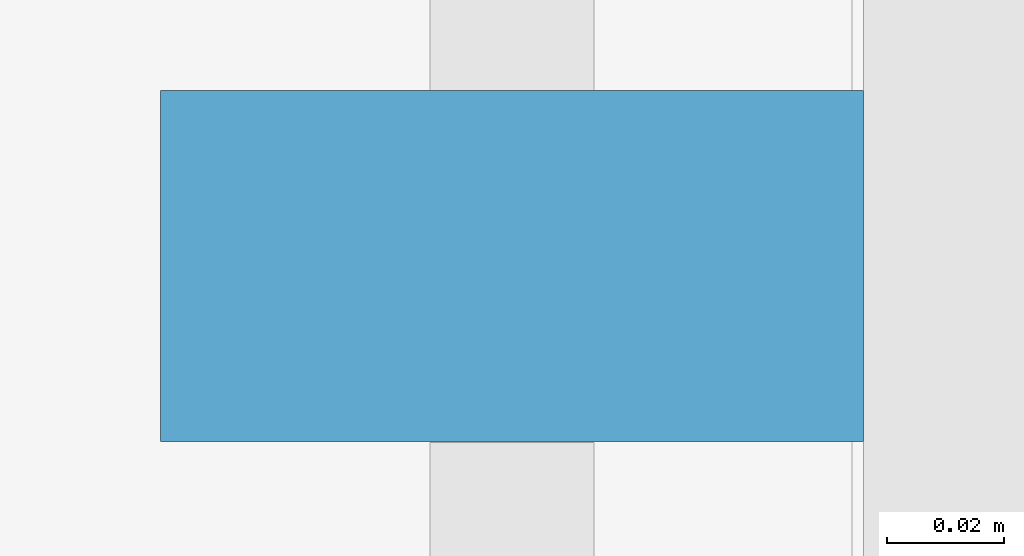
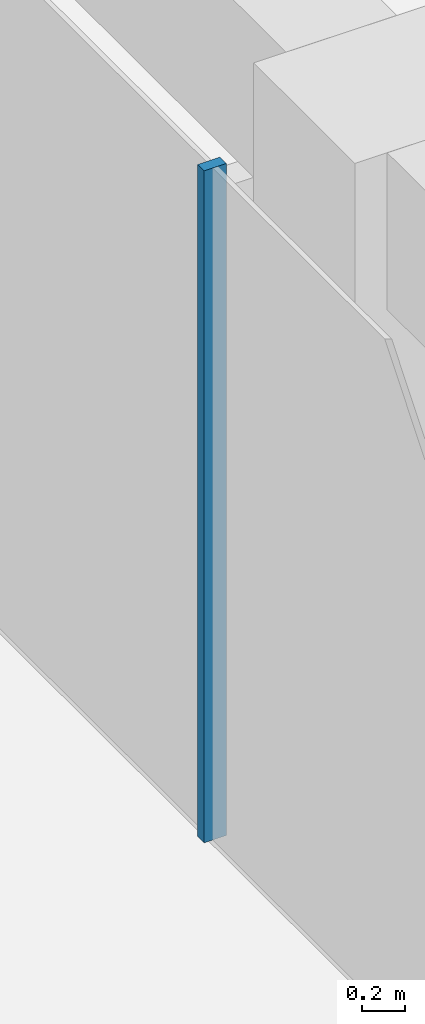
# One storey, part 15 of 28: 1 member, 1 element without a shape of its own.
"""IFC4 building model written with IfcOpenShell, lengths in metres."""

from ifc_helpers import new_model, si_unit, direction, frame, origin, origin_2d, place, context, subcontext, project, spatial, rectangle, extrude, material, layer, layer_set, material_profile, profile_set, type_object, element, aggregate, save


model = new_model("IFC4")

# Units and contexts
model_context = context("Model", 3, precision=1e-05, world=origin(), true_north=direction((0.0, 1.0)))
body_context = subcontext(model_context, "Body", "Model", "MODEL_VIEW")
ifc_project = project(units=[si_unit("LENGTHUNIT", "METRE"), si_unit("AREAUNIT", "SQUARE_METRE"), si_unit("VOLUMEUNIT", "CUBIC_METRE"), si_unit("PLANEANGLEUNIT", "RADIAN"), si_unit("MASSUNIT", "GRAM", prefix="KILO")], contexts=[model_context])

# Site, building, storey
site_placement = place(None, origin())
site = spatial("IfcSite", under=ifc_project, at=site_placement, CompositionType="ELEMENT")
building_placement = place(site_placement, origin())
building = spatial("IfcBuilding", under=site, at=building_placement, Name="Welwitschia Terrace Campus", CompositionType="ELEMENT")
storey_placement = place(building_placement, frame((0.0, 0.0, 45.800048828125)))
storey = spatial("IfcBuildingStorey", under=building, at=storey_placement, Name="L10", CompositionType="ELEMENT", Elevation=45.800048828125)

# Curtain wall, member
ifc_material_1 = material(Name="Bronze anodised aluminium", Category="aluminium")
ifc_layer = layer(ifc_material_1, 0.1201171875)
ifc_layer_set = layer_set([ifc_layer], Name="Bronze anodised aluminium")
curtain_wall_type = type_object("IfcCurtainWallType", Name="Curtain wall CW2 tower 6000", PredefinedType="NOTDEFINED", material=ifc_layer_set)
curtain_wall_placement = place(storey_placement, origin())
curtain_wall = element("IfcCurtainWall", 1, at=curtain_wall_placement, inside=storey, type_object=curtain_wall_type, Name="CW L10.11.0", PredefinedType="NOTDEFINED")
ifc_material_2 = material(Name="Bronze anodised aluminium", Category="aluminium")
ifc_material_profile = material_profile(ifc_material_2, rectangle(XDim=0.1201171875, YDim=0.06005859375, at=origin_2d()))
ifc_profile_set = profile_set([ifc_material_profile], Name="Bronze anodised aluminium")
member_type = type_object("IfcMemberType", Name="Mullion 60x120", PredefinedType="MULLION", material=ifc_profile_set)
member_placement = place(storey_placement, frame((-1.05810546875, 43.856201171875, 0.0), z_axis=(0.0, 0.0, 1.0), x_axis=(1.0, 0.0, 0.0)))
member = element("IfcMember", 2, at=member_placement, type_object=member_type, Name="Mullion L10.11.0.3", PredefinedType="MULLION", context=body_context, shape_type="SweptSolid", body=[
    extrude(rectangle(XDim=0.1201171875, YDim=0.06005859375, at=origin_2d()), origin(), (0.0, 0.0, 1.0), 3.849853515625),
])
aggregate(curtain_wall, [member])

save(model, "model.ifc")
